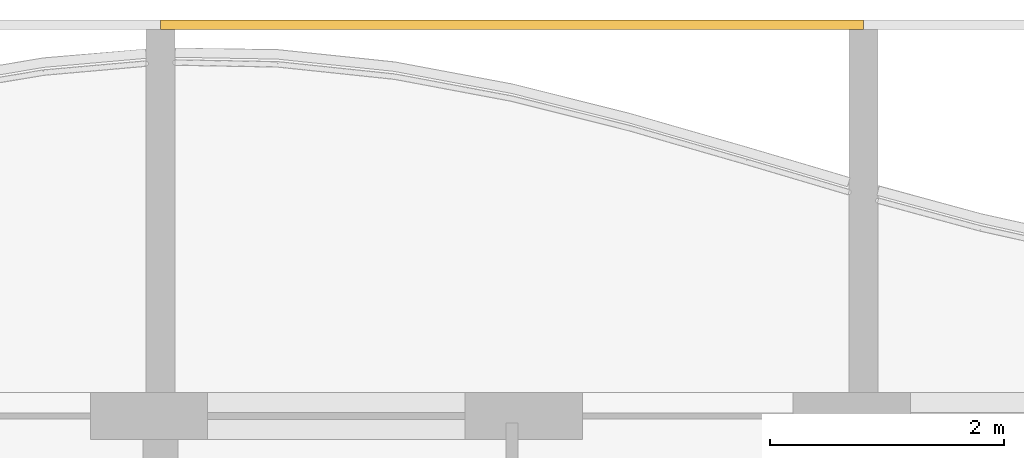
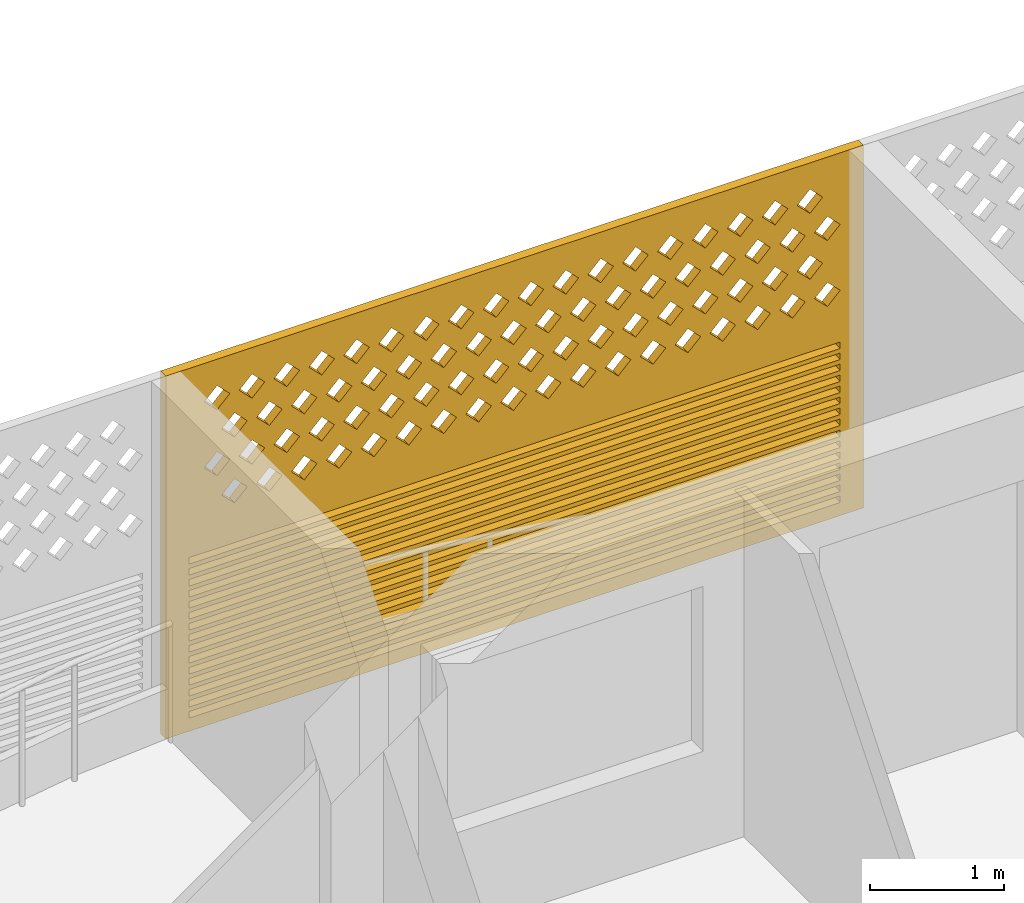
# One storey, part 20 of 32: 1 covering.
"""IFC4 building model written with IfcOpenShell, lengths in metres."""

from ifc_helpers import new_model, si_unit, direction, frame, origin, place, context, subcontext, project, spatial, polyline, outline, extrude, source, transform, mapped, material, material_profile, profile_set, type_object, element, save


model = new_model("IFC4")

# Units and contexts
model_context = context("Model", 3, precision=1e-05, world=origin(), true_north=direction((0.0, 1.0)))
body_context = subcontext(model_context, "Body", "Model", "MODEL_VIEW")
ifc_project = project(units=[si_unit("LENGTHUNIT", "METRE"), si_unit("AREAUNIT", "SQUARE_METRE"), si_unit("VOLUMEUNIT", "CUBIC_METRE"), si_unit("PLANEANGLEUNIT", "RADIAN"), si_unit("MASSUNIT", "GRAM", prefix="KILO")], contexts=[model_context])

# Site, building, storey
site_placement = place(None, origin())
site = spatial("IfcSite", under=ifc_project, at=site_placement, CompositionType="ELEMENT")
building_placement = place(site_placement, origin())
building = spatial("IfcBuilding", under=site, at=building_placement, Name="Poui Terraces", CompositionType="ELEMENT")
storey_placement = place(building_placement, frame((0.0, 0.0, 122.39990234375)))
storey = spatial("IfcBuildingStorey", under=building, at=storey_placement, Name="L33", CompositionType="ELEMENT", Elevation=122.39990234375)

# Covering
ifc_material = material(Name="Terracotta screen", Category="masonry")
ifc_material_profile = material_profile(ifc_material, outline(polyline([(-3.0, -1.64990234375), (3.0, -1.64990234375), (3.0, 1.64990234375), (-3.0, 1.64990234375), (-3.0, -1.64990234375)]), holes=[polyline([(-2.800048828125, 0.39990234375), (-2.68994140625, 0.2900390625), (-2.580078125, 0.39990234375), (-2.68994140625, 0.510009765625), (-2.800048828125, 0.39990234375)]), polyline([(-2.5, 0.39990234375), (-2.389892578125, 0.2900390625), (-2.280029296875, 0.39990234375), (-2.389892578125, 0.510009765625), (-2.5, 0.39990234375)]), polyline([(-2.199951171875, 0.39990234375), (-2.090087890625, 0.2900390625), (-1.97998046875, 0.39990234375), (-2.090087890625, 0.510009765625), (-2.199951171875, 0.39990234375)]), polyline([(-1.89990234375, 0.39990234375), (-1.7900390625, 0.2900390625), (-1.679931640625, 0.39990234375), (-1.7900390625, 0.510009765625), (-1.89990234375, 0.39990234375)]), polyline([(-1.60009765625, 0.39990234375), (-1.489990234375, 0.2900390625), (-1.3798828125, 0.39990234375), (-1.489990234375, 0.510009765625), (-1.60009765625, 0.39990234375)]), polyline([(-1.300048828125, 0.39990234375), (-1.18994140625, 0.2900390625), (-1.080078125, 0.39990234375), (-1.18994140625, 0.510009765625), (-1.300048828125, 0.39990234375)]), polyline([(-1.0, 0.39990234375), (-0.889892578125, 0.2900390625), (-0.780029296875, 0.39990234375), (-0.889892578125, 0.510009765625), (-1.0, 0.39990234375)]), polyline([(-0.699951171875, 0.39990234375), (-0.590087890625, 0.2900390625), (-0.47998046875, 0.39990234375), (-0.590087890625, 0.510009765625), (-0.699951171875, 0.39990234375)]), polyline([(-0.39990234375, 0.39990234375), (-0.2900390625, 0.2900390625), (-0.179931640625, 0.39990234375), (-0.2900390625, 0.510009765625), (-0.39990234375, 0.39990234375)]), polyline([(-0.10009765625, 0.39990234375), (0.010009765625, 0.2900390625), (0.1201171875, 0.39990234375), (0.010009765625, 0.510009765625), (-0.10009765625, 0.39990234375)]), polyline([(0.199951171875, 0.39990234375), (0.31005859375, 0.2900390625), (0.419921875, 0.39990234375), (0.31005859375, 0.510009765625), (0.199951171875, 0.39990234375)]), polyline([(0.5, 0.39990234375), (0.610107421875, 0.2900390625), (0.719970703125, 0.39990234375), (0.610107421875, 0.510009765625), (0.5, 0.39990234375)]), polyline([(0.800048828125, 0.39990234375), (0.909912109375, 0.2900390625), (1.02001953125, 0.39990234375), (0.909912109375, 0.510009765625), (0.800048828125, 0.39990234375)]), polyline([(1.10009765625, 0.39990234375), (1.2099609375, 0.2900390625), (1.320068359375, 0.39990234375), (1.2099609375, 0.510009765625), (1.10009765625, 0.39990234375)]), polyline([(1.39990234375, 0.39990234375), (1.510009765625, 0.2900390625), (1.6201171875, 0.39990234375), (1.510009765625, 0.510009765625), (1.39990234375, 0.39990234375)]), polyline([(1.699951171875, 0.39990234375), (1.81005859375, 0.2900390625), (1.919921875, 0.39990234375), (1.81005859375, 0.510009765625), (1.699951171875, 0.39990234375)]), polyline([(2.0, 0.39990234375), (2.110107421875, 0.2900390625), (2.219970703125, 0.39990234375), (2.110107421875, 0.510009765625), (2.0, 0.39990234375)]), polyline([(2.300048828125, 0.39990234375), (2.409912109375, 0.2900390625), (2.52001953125, 0.39990234375), (2.409912109375, 0.510009765625), (2.300048828125, 0.39990234375)]), polyline([(-2.64990234375, 0.699951171875), (-2.5400390625, 0.590087890625), (-2.429931640625, 0.699951171875), (-2.5400390625, 0.81005859375), (-2.64990234375, 0.699951171875)]), polyline([(-2.35009765625, 0.699951171875), (-2.239990234375, 0.590087890625), (-2.1298828125, 0.699951171875), (-2.239990234375, 0.81005859375), (-2.35009765625, 0.699951171875)]), polyline([(-2.050048828125, 0.699951171875), (-1.93994140625, 0.590087890625), (-1.830078125, 0.699951171875), (-1.93994140625, 0.81005859375), (-2.050048828125, 0.699951171875)]), polyline([(-1.75, 0.699951171875), (-1.639892578125, 0.590087890625), (-1.530029296875, 0.699951171875), (-1.639892578125, 0.81005859375), (-1.75, 0.699951171875)]), polyline([(-1.449951171875, 0.699951171875), (-1.340087890625, 0.590087890625), (-1.22998046875, 0.699951171875), (-1.340087890625, 0.81005859375), (-1.449951171875, 0.699951171875)]), polyline([(-1.14990234375, 0.699951171875), (-1.0400390625, 0.590087890625), (-0.929931640625, 0.699951171875), (-1.0400390625, 0.81005859375), (-1.14990234375, 0.699951171875)]), polyline([(-0.85009765625, 0.699951171875), (-0.739990234375, 0.590087890625), (-0.6298828125, 0.699951171875), (-0.739990234375, 0.81005859375), (-0.85009765625, 0.699951171875)]), polyline([(-0.550048828125, 0.699951171875), (-0.43994140625, 0.590087890625), (-0.330078125, 0.699951171875), (-0.43994140625, 0.81005859375), (-0.550048828125, 0.699951171875)]), polyline([(-0.25, 0.699951171875), (-0.139892578125, 0.590087890625), (-0.030029296875, 0.699951171875), (-0.139892578125, 0.81005859375), (-0.25, 0.699951171875)]), polyline([(0.050048828125, 0.699951171875), (0.159912109375, 0.590087890625), (0.27001953125, 0.699951171875), (0.159912109375, 0.81005859375), (0.050048828125, 0.699951171875)]), polyline([(0.35009765625, 0.699951171875), (0.4599609375, 0.590087890625), (0.570068359375, 0.699951171875), (0.4599609375, 0.81005859375), (0.35009765625, 0.699951171875)]), polyline([(0.64990234375, 0.699951171875), (0.760009765625, 0.590087890625), (0.8701171875, 0.699951171875), (0.760009765625, 0.81005859375), (0.64990234375, 0.699951171875)]), polyline([(0.949951171875, 0.699951171875), (1.06005859375, 0.590087890625), (1.169921875, 0.699951171875), (1.06005859375, 0.81005859375), (0.949951171875, 0.699951171875)]), polyline([(1.25, 0.699951171875), (1.360107421875, 0.590087890625), (1.469970703125, 0.699951171875), (1.360107421875, 0.81005859375), (1.25, 0.699951171875)]), polyline([(1.550048828125, 0.699951171875), (1.659912109375, 0.590087890625), (1.77001953125, 0.699951171875), (1.659912109375, 0.81005859375), (1.550048828125, 0.699951171875)]), polyline([(1.85009765625, 0.699951171875), (1.9599609375, 0.590087890625), (2.070068359375, 0.699951171875), (1.9599609375, 0.81005859375), (1.85009765625, 0.699951171875)]), polyline([(2.14990234375, 0.699951171875), (2.260009765625, 0.590087890625), (2.3701171875, 0.699951171875), (2.260009765625, 0.81005859375), (2.14990234375, 0.699951171875)]), polyline([(2.449951171875, 0.699951171875), (2.56005859375, 0.590087890625), (2.669921875, 0.699951171875), (2.56005859375, 0.81005859375), (2.449951171875, 0.699951171875)]), polyline([(-2.800048828125, 1.0), (-2.68994140625, 0.889892578125), (-2.580078125, 1.0), (-2.68994140625, 1.110107421875), (-2.800048828125, 1.0)]), polyline([(-2.5, 1.0), (-2.389892578125, 0.889892578125), (-2.280029296875, 1.0), (-2.389892578125, 1.110107421875), (-2.5, 1.0)]), polyline([(-2.199951171875, 1.0), (-2.090087890625, 0.889892578125), (-1.97998046875, 1.0), (-2.090087890625, 1.110107421875), (-2.199951171875, 1.0)]), polyline([(-1.89990234375, 1.0), (-1.7900390625, 0.889892578125), (-1.679931640625, 1.0), (-1.7900390625, 1.110107421875), (-1.89990234375, 1.0)]), polyline([(-1.60009765625, 1.0), (-1.489990234375, 0.889892578125), (-1.3798828125, 1.0), (-1.489990234375, 1.110107421875), (-1.60009765625, 1.0)]), polyline([(-1.300048828125, 1.0), (-1.18994140625, 0.889892578125), (-1.080078125, 1.0), (-1.18994140625, 1.110107421875), (-1.300048828125, 1.0)]), polyline([(-1.0, 1.0), (-0.889892578125, 0.889892578125), (-0.780029296875, 1.0), (-0.889892578125, 1.110107421875), (-1.0, 1.0)]), polyline([(-0.699951171875, 1.0), (-0.590087890625, 0.889892578125), (-0.47998046875, 1.0), (-0.590087890625, 1.110107421875), (-0.699951171875, 1.0)]), polyline([(-0.39990234375, 1.0), (-0.2900390625, 0.889892578125), (-0.179931640625, 1.0), (-0.2900390625, 1.110107421875), (-0.39990234375, 1.0)]), polyline([(-0.10009765625, 1.0), (0.010009765625, 0.889892578125), (0.1201171875, 1.0), (0.010009765625, 1.110107421875), (-0.10009765625, 1.0)]), polyline([(0.199951171875, 1.0), (0.31005859375, 0.889892578125), (0.419921875, 1.0), (0.31005859375, 1.110107421875), (0.199951171875, 1.0)]), polyline([(0.5, 1.0), (0.610107421875, 0.889892578125), (0.719970703125, 1.0), (0.610107421875, 1.110107421875), (0.5, 1.0)]), polyline([(0.800048828125, 1.0), (0.909912109375, 0.889892578125), (1.02001953125, 1.0), (0.909912109375, 1.110107421875), (0.800048828125, 1.0)]), polyline([(1.10009765625, 1.0), (1.2099609375, 0.889892578125), (1.320068359375, 1.0), (1.2099609375, 1.110107421875), (1.10009765625, 1.0)]), polyline([(1.39990234375, 1.0), (1.510009765625, 0.889892578125), (1.6201171875, 1.0), (1.510009765625, 1.110107421875), (1.39990234375, 1.0)]), polyline([(1.699951171875, 1.0), (1.81005859375, 0.889892578125), (1.919921875, 1.0), (1.81005859375, 1.110107421875), (1.699951171875, 1.0)]), polyline([(2.0, 1.0), (2.110107421875, 0.889892578125), (2.219970703125, 1.0), (2.110107421875, 1.110107421875), (2.0, 1.0)]), polyline([(2.300048828125, 1.0), (2.409912109375, 0.889892578125), (2.52001953125, 1.0), (2.409912109375, 1.110107421875), (2.300048828125, 1.0)]), polyline([(-2.64990234375, 1.300048828125), (-2.5400390625, 1.18994140625), (-2.429931640625, 1.300048828125), (-2.5400390625, 1.409912109375), (-2.64990234375, 1.300048828125)]), polyline([(-2.35009765625, 1.300048828125), (-2.239990234375, 1.18994140625), (-2.1298828125, 1.300048828125), (-2.239990234375, 1.409912109375), (-2.35009765625, 1.300048828125)]), polyline([(-2.050048828125, 1.300048828125), (-1.93994140625, 1.18994140625), (-1.830078125, 1.300048828125), (-1.93994140625, 1.409912109375), (-2.050048828125, 1.300048828125)]), polyline([(-1.75, 1.300048828125), (-1.639892578125, 1.18994140625), (-1.530029296875, 1.300048828125), (-1.639892578125, 1.409912109375), (-1.75, 1.300048828125)]), polyline([(-1.449951171875, 1.300048828125), (-1.340087890625, 1.18994140625), (-1.22998046875, 1.300048828125), (-1.340087890625, 1.409912109375), (-1.449951171875, 1.300048828125)]), polyline([(-1.14990234375, 1.300048828125), (-1.0400390625, 1.18994140625), (-0.929931640625, 1.300048828125), (-1.0400390625, 1.409912109375), (-1.14990234375, 1.300048828125)]), polyline([(-0.85009765625, 1.300048828125), (-0.739990234375, 1.18994140625), (-0.6298828125, 1.300048828125), (-0.739990234375, 1.409912109375), (-0.85009765625, 1.300048828125)]), polyline([(-0.550048828125, 1.300048828125), (-0.43994140625, 1.18994140625), (-0.330078125, 1.300048828125), (-0.43994140625, 1.409912109375), (-0.550048828125, 1.300048828125)]), polyline([(-0.25, 1.300048828125), (-0.139892578125, 1.18994140625), (-0.030029296875, 1.300048828125), (-0.139892578125, 1.409912109375), (-0.25, 1.300048828125)]), polyline([(0.050048828125, 1.300048828125), (0.159912109375, 1.18994140625), (0.27001953125, 1.300048828125), (0.159912109375, 1.409912109375), (0.050048828125, 1.300048828125)]), polyline([(0.35009765625, 1.300048828125), (0.4599609375, 1.18994140625), (0.570068359375, 1.300048828125), (0.4599609375, 1.409912109375), (0.35009765625, 1.300048828125)]), polyline([(0.64990234375, 1.300048828125), (0.760009765625, 1.18994140625), (0.8701171875, 1.300048828125), (0.760009765625, 1.409912109375), (0.64990234375, 1.300048828125)]), polyline([(0.949951171875, 1.300048828125), (1.06005859375, 1.18994140625), (1.169921875, 1.300048828125), (1.06005859375, 1.409912109375), (0.949951171875, 1.300048828125)]), polyline([(1.25, 1.300048828125), (1.360107421875, 1.18994140625), (1.469970703125, 1.300048828125), (1.360107421875, 1.409912109375), (1.25, 1.300048828125)]), polyline([(1.550048828125, 1.300048828125), (1.659912109375, 1.18994140625), (1.77001953125, 1.300048828125), (1.659912109375, 1.409912109375), (1.550048828125, 1.300048828125)]), polyline([(1.85009765625, 1.300048828125), (1.9599609375, 1.18994140625), (2.070068359375, 1.300048828125), (1.9599609375, 1.409912109375), (1.85009765625, 1.300048828125)]), polyline([(2.14990234375, 1.300048828125), (2.260009765625, 1.18994140625), (2.3701171875, 1.300048828125), (2.260009765625, 1.409912109375), (2.14990234375, 1.300048828125)]), polyline([(2.449951171875, 1.300048828125), (2.56005859375, 1.18994140625), (2.669921875, 1.300048828125), (2.56005859375, 1.409912109375), (2.449951171875, 1.300048828125)]), polyline([(-2.800048828125, -1.530029296875), (2.800048828125, -1.530029296875), (2.800048828125, -1.469970703125), (-2.800048828125, -1.469970703125), (-2.800048828125, -1.530029296875)]), polyline([(-2.800048828125, -1.429931640625), (2.800048828125, -1.429931640625), (2.800048828125, -1.3701171875), (-2.800048828125, -1.3701171875), (-2.800048828125, -1.429931640625)]), polyline([(-2.800048828125, -1.330078125), (2.800048828125, -1.330078125), (2.800048828125, -1.27001953125), (-2.800048828125, -1.27001953125), (-2.800048828125, -1.330078125)]), polyline([(-2.800048828125, -1.22998046875), (2.800048828125, -1.22998046875), (2.800048828125, -1.169921875), (-2.800048828125, -1.169921875), (-2.800048828125, -1.22998046875)]), polyline([(-2.800048828125, -1.1298828125), (2.800048828125, -1.1298828125), (2.800048828125, -1.070068359375), (-2.800048828125, -1.070068359375), (-2.800048828125, -1.1298828125)]), polyline([(-2.800048828125, -1.030029296875), (2.800048828125, -1.030029296875), (2.800048828125, -0.969970703125), (-2.800048828125, -0.969970703125), (-2.800048828125, -1.030029296875)]), polyline([(-2.800048828125, -0.929931640625), (2.800048828125, -0.929931640625), (2.800048828125, -0.8701171875), (-2.800048828125, -0.8701171875), (-2.800048828125, -0.929931640625)]), polyline([(-2.800048828125, -0.830078125), (2.800048828125, -0.830078125), (2.800048828125, -0.77001953125), (-2.800048828125, -0.77001953125), (-2.800048828125, -0.830078125)]), polyline([(-2.800048828125, -0.72998046875), (2.800048828125, -0.72998046875), (2.800048828125, -0.669921875), (-2.800048828125, -0.669921875), (-2.800048828125, -0.72998046875)]), polyline([(-2.800048828125, -0.6298828125), (2.800048828125, -0.6298828125), (2.800048828125, -0.570068359375), (-2.800048828125, -0.570068359375), (-2.800048828125, -0.6298828125)]), polyline([(-2.800048828125, -0.530029296875), (2.800048828125, -0.530029296875), (2.800048828125, -0.469970703125), (-2.800048828125, -0.469970703125), (-2.800048828125, -0.530029296875)]), polyline([(-2.800048828125, -0.429931640625), (2.800048828125, -0.429931640625), (2.800048828125, -0.3701171875), (-2.800048828125, -0.3701171875), (-2.800048828125, -0.429931640625)]), polyline([(-2.800048828125, -0.330078125), (2.800048828125, -0.330078125), (2.800048828125, -0.27001953125), (-2.800048828125, -0.27001953125), (-2.800048828125, -0.330078125)]), polyline([(-2.800048828125, -0.22998046875), (2.800048828125, -0.22998046875), (2.800048828125, -0.169921875), (-2.800048828125, -0.169921875), (-2.800048828125, -0.22998046875)]), polyline([(-2.800048828125, -0.1298828125), (2.800048828125, -0.1298828125), (2.800048828125, -0.070068359375), (-2.800048828125, -0.070068359375), (-2.800048828125, -0.1298828125)])]), Name="TERRACOTTA SCREEN AND JALOUSIE LOUVRE 6000X3300")
ifc_profile_set = profile_set([ifc_material_profile], Name="Terracotta screen")
covering_type = type_object("IfcCoveringType", Name="TERRACOTTA SCREEN AND JALOUSIE LOUVRE 6000X3300", PredefinedType="CLADDING", material=ifc_profile_set)
shared_shape = source(origin(), body_context, "Body", "SweptSolid", [
    extrude(outline(polyline([(-3.0, -1.64990234375), (3.0, -1.64990234375), (3.0, 1.64990234375), (-3.0, 1.64990234375), (-3.0, -1.64990234375)]), holes=[polyline([(-2.800048828125, 0.39990234375), (-2.68994140625, 0.2900390625), (-2.580078125, 0.39990234375), (-2.68994140625, 0.510009765625), (-2.800048828125, 0.39990234375)]), polyline([(-2.5, 0.39990234375), (-2.389892578125, 0.2900390625), (-2.280029296875, 0.39990234375), (-2.389892578125, 0.510009765625), (-2.5, 0.39990234375)]), polyline([(-2.199951171875, 0.39990234375), (-2.090087890625, 0.2900390625), (-1.97998046875, 0.39990234375), (-2.090087890625, 0.510009765625), (-2.199951171875, 0.39990234375)]), polyline([(-1.89990234375, 0.39990234375), (-1.7900390625, 0.2900390625), (-1.679931640625, 0.39990234375), (-1.7900390625, 0.510009765625), (-1.89990234375, 0.39990234375)]), polyline([(-1.60009765625, 0.39990234375), (-1.489990234375, 0.2900390625), (-1.3798828125, 0.39990234375), (-1.489990234375, 0.510009765625), (-1.60009765625, 0.39990234375)]), polyline([(-1.300048828125, 0.39990234375), (-1.18994140625, 0.2900390625), (-1.080078125, 0.39990234375), (-1.18994140625, 0.510009765625), (-1.300048828125, 0.39990234375)]), polyline([(-1.0, 0.39990234375), (-0.889892578125, 0.2900390625), (-0.780029296875, 0.39990234375), (-0.889892578125, 0.510009765625), (-1.0, 0.39990234375)]), polyline([(-0.699951171875, 0.39990234375), (-0.590087890625, 0.2900390625), (-0.47998046875, 0.39990234375), (-0.590087890625, 0.510009765625), (-0.699951171875, 0.39990234375)]), polyline([(-0.39990234375, 0.39990234375), (-0.2900390625, 0.2900390625), (-0.179931640625, 0.39990234375), (-0.2900390625, 0.510009765625), (-0.39990234375, 0.39990234375)]), polyline([(-0.10009765625, 0.39990234375), (0.010009765625, 0.2900390625), (0.1201171875, 0.39990234375), (0.010009765625, 0.510009765625), (-0.10009765625, 0.39990234375)]), polyline([(0.199951171875, 0.39990234375), (0.31005859375, 0.2900390625), (0.419921875, 0.39990234375), (0.31005859375, 0.510009765625), (0.199951171875, 0.39990234375)]), polyline([(0.5, 0.39990234375), (0.610107421875, 0.2900390625), (0.719970703125, 0.39990234375), (0.610107421875, 0.510009765625), (0.5, 0.39990234375)]), polyline([(0.800048828125, 0.39990234375), (0.909912109375, 0.2900390625), (1.02001953125, 0.39990234375), (0.909912109375, 0.510009765625), (0.800048828125, 0.39990234375)]), polyline([(1.10009765625, 0.39990234375), (1.2099609375, 0.2900390625), (1.320068359375, 0.39990234375), (1.2099609375, 0.510009765625), (1.10009765625, 0.39990234375)]), polyline([(1.39990234375, 0.39990234375), (1.510009765625, 0.2900390625), (1.6201171875, 0.39990234375), (1.510009765625, 0.510009765625), (1.39990234375, 0.39990234375)]), polyline([(1.699951171875, 0.39990234375), (1.81005859375, 0.2900390625), (1.919921875, 0.39990234375), (1.81005859375, 0.510009765625), (1.699951171875, 0.39990234375)]), polyline([(2.0, 0.39990234375), (2.110107421875, 0.2900390625), (2.219970703125, 0.39990234375), (2.110107421875, 0.510009765625), (2.0, 0.39990234375)]), polyline([(2.300048828125, 0.39990234375), (2.409912109375, 0.2900390625), (2.52001953125, 0.39990234375), (2.409912109375, 0.510009765625), (2.300048828125, 0.39990234375)]), polyline([(-2.64990234375, 0.699951171875), (-2.5400390625, 0.590087890625), (-2.429931640625, 0.699951171875), (-2.5400390625, 0.81005859375), (-2.64990234375, 0.699951171875)]), polyline([(-2.35009765625, 0.699951171875), (-2.239990234375, 0.590087890625), (-2.1298828125, 0.699951171875), (-2.239990234375, 0.81005859375), (-2.35009765625, 0.699951171875)]), polyline([(-2.050048828125, 0.699951171875), (-1.93994140625, 0.590087890625), (-1.830078125, 0.699951171875), (-1.93994140625, 0.81005859375), (-2.050048828125, 0.699951171875)]), polyline([(-1.75, 0.699951171875), (-1.639892578125, 0.590087890625), (-1.530029296875, 0.699951171875), (-1.639892578125, 0.81005859375), (-1.75, 0.699951171875)]), polyline([(-1.449951171875, 0.699951171875), (-1.340087890625, 0.590087890625), (-1.22998046875, 0.699951171875), (-1.340087890625, 0.81005859375), (-1.449951171875, 0.699951171875)]), polyline([(-1.14990234375, 0.699951171875), (-1.0400390625, 0.590087890625), (-0.929931640625, 0.699951171875), (-1.0400390625, 0.81005859375), (-1.14990234375, 0.699951171875)]), polyline([(-0.85009765625, 0.699951171875), (-0.739990234375, 0.590087890625), (-0.6298828125, 0.699951171875), (-0.739990234375, 0.81005859375), (-0.85009765625, 0.699951171875)]), polyline([(-0.550048828125, 0.699951171875), (-0.43994140625, 0.590087890625), (-0.330078125, 0.699951171875), (-0.43994140625, 0.81005859375), (-0.550048828125, 0.699951171875)]), polyline([(-0.25, 0.699951171875), (-0.139892578125, 0.590087890625), (-0.030029296875, 0.699951171875), (-0.139892578125, 0.81005859375), (-0.25, 0.699951171875)]), polyline([(0.050048828125, 0.699951171875), (0.159912109375, 0.590087890625), (0.27001953125, 0.699951171875), (0.159912109375, 0.81005859375), (0.050048828125, 0.699951171875)]), polyline([(0.35009765625, 0.699951171875), (0.4599609375, 0.590087890625), (0.570068359375, 0.699951171875), (0.4599609375, 0.81005859375), (0.35009765625, 0.699951171875)]), polyline([(0.64990234375, 0.699951171875), (0.760009765625, 0.590087890625), (0.8701171875, 0.699951171875), (0.760009765625, 0.81005859375), (0.64990234375, 0.699951171875)]), polyline([(0.949951171875, 0.699951171875), (1.06005859375, 0.590087890625), (1.169921875, 0.699951171875), (1.06005859375, 0.81005859375), (0.949951171875, 0.699951171875)]), polyline([(1.25, 0.699951171875), (1.360107421875, 0.590087890625), (1.469970703125, 0.699951171875), (1.360107421875, 0.81005859375), (1.25, 0.699951171875)]), polyline([(1.550048828125, 0.699951171875), (1.659912109375, 0.590087890625), (1.77001953125, 0.699951171875), (1.659912109375, 0.81005859375), (1.550048828125, 0.699951171875)]), polyline([(1.85009765625, 0.699951171875), (1.9599609375, 0.590087890625), (2.070068359375, 0.699951171875), (1.9599609375, 0.81005859375), (1.85009765625, 0.699951171875)]), polyline([(2.14990234375, 0.699951171875), (2.260009765625, 0.590087890625), (2.3701171875, 0.699951171875), (2.260009765625, 0.81005859375), (2.14990234375, 0.699951171875)]), polyline([(2.449951171875, 0.699951171875), (2.56005859375, 0.590087890625), (2.669921875, 0.699951171875), (2.56005859375, 0.81005859375), (2.449951171875, 0.699951171875)]), polyline([(-2.800048828125, 1.0), (-2.68994140625, 0.889892578125), (-2.580078125, 1.0), (-2.68994140625, 1.110107421875), (-2.800048828125, 1.0)]), polyline([(-2.5, 1.0), (-2.389892578125, 0.889892578125), (-2.280029296875, 1.0), (-2.389892578125, 1.110107421875), (-2.5, 1.0)]), polyline([(-2.199951171875, 1.0), (-2.090087890625, 0.889892578125), (-1.97998046875, 1.0), (-2.090087890625, 1.110107421875), (-2.199951171875, 1.0)]), polyline([(-1.89990234375, 1.0), (-1.7900390625, 0.889892578125), (-1.679931640625, 1.0), (-1.7900390625, 1.110107421875), (-1.89990234375, 1.0)]), polyline([(-1.60009765625, 1.0), (-1.489990234375, 0.889892578125), (-1.3798828125, 1.0), (-1.489990234375, 1.110107421875), (-1.60009765625, 1.0)]), polyline([(-1.300048828125, 1.0), (-1.18994140625, 0.889892578125), (-1.080078125, 1.0), (-1.18994140625, 1.110107421875), (-1.300048828125, 1.0)]), polyline([(-1.0, 1.0), (-0.889892578125, 0.889892578125), (-0.780029296875, 1.0), (-0.889892578125, 1.110107421875), (-1.0, 1.0)]), polyline([(-0.699951171875, 1.0), (-0.590087890625, 0.889892578125), (-0.47998046875, 1.0), (-0.590087890625, 1.110107421875), (-0.699951171875, 1.0)]), polyline([(-0.39990234375, 1.0), (-0.2900390625, 0.889892578125), (-0.179931640625, 1.0), (-0.2900390625, 1.110107421875), (-0.39990234375, 1.0)]), polyline([(-0.10009765625, 1.0), (0.010009765625, 0.889892578125), (0.1201171875, 1.0), (0.010009765625, 1.110107421875), (-0.10009765625, 1.0)]), polyline([(0.199951171875, 1.0), (0.31005859375, 0.889892578125), (0.419921875, 1.0), (0.31005859375, 1.110107421875), (0.199951171875, 1.0)]), polyline([(0.5, 1.0), (0.610107421875, 0.889892578125), (0.719970703125, 1.0), (0.610107421875, 1.110107421875), (0.5, 1.0)]), polyline([(0.800048828125, 1.0), (0.909912109375, 0.889892578125), (1.02001953125, 1.0), (0.909912109375, 1.110107421875), (0.800048828125, 1.0)]), polyline([(1.10009765625, 1.0), (1.2099609375, 0.889892578125), (1.320068359375, 1.0), (1.2099609375, 1.110107421875), (1.10009765625, 1.0)]), polyline([(1.39990234375, 1.0), (1.510009765625, 0.889892578125), (1.6201171875, 1.0), (1.510009765625, 1.110107421875), (1.39990234375, 1.0)]), polyline([(1.699951171875, 1.0), (1.81005859375, 0.889892578125), (1.919921875, 1.0), (1.81005859375, 1.110107421875), (1.699951171875, 1.0)]), polyline([(2.0, 1.0), (2.110107421875, 0.889892578125), (2.219970703125, 1.0), (2.110107421875, 1.110107421875), (2.0, 1.0)]), polyline([(2.300048828125, 1.0), (2.409912109375, 0.889892578125), (2.52001953125, 1.0), (2.409912109375, 1.110107421875), (2.300048828125, 1.0)]), polyline([(-2.64990234375, 1.300048828125), (-2.5400390625, 1.18994140625), (-2.429931640625, 1.300048828125), (-2.5400390625, 1.409912109375), (-2.64990234375, 1.300048828125)]), polyline([(-2.35009765625, 1.300048828125), (-2.239990234375, 1.18994140625), (-2.1298828125, 1.300048828125), (-2.239990234375, 1.409912109375), (-2.35009765625, 1.300048828125)]), polyline([(-2.050048828125, 1.300048828125), (-1.93994140625, 1.18994140625), (-1.830078125, 1.300048828125), (-1.93994140625, 1.409912109375), (-2.050048828125, 1.300048828125)]), polyline([(-1.75, 1.300048828125), (-1.639892578125, 1.18994140625), (-1.530029296875, 1.300048828125), (-1.639892578125, 1.409912109375), (-1.75, 1.300048828125)]), polyline([(-1.449951171875, 1.300048828125), (-1.340087890625, 1.18994140625), (-1.22998046875, 1.300048828125), (-1.340087890625, 1.409912109375), (-1.449951171875, 1.300048828125)]), polyline([(-1.14990234375, 1.300048828125), (-1.0400390625, 1.18994140625), (-0.929931640625, 1.300048828125), (-1.0400390625, 1.409912109375), (-1.14990234375, 1.300048828125)]), polyline([(-0.85009765625, 1.300048828125), (-0.739990234375, 1.18994140625), (-0.6298828125, 1.300048828125), (-0.739990234375, 1.409912109375), (-0.85009765625, 1.300048828125)]), polyline([(-0.550048828125, 1.300048828125), (-0.43994140625, 1.18994140625), (-0.330078125, 1.300048828125), (-0.43994140625, 1.409912109375), (-0.550048828125, 1.300048828125)]), polyline([(-0.25, 1.300048828125), (-0.139892578125, 1.18994140625), (-0.030029296875, 1.300048828125), (-0.139892578125, 1.409912109375), (-0.25, 1.300048828125)]), polyline([(0.050048828125, 1.300048828125), (0.159912109375, 1.18994140625), (0.27001953125, 1.300048828125), (0.159912109375, 1.409912109375), (0.050048828125, 1.300048828125)]), polyline([(0.35009765625, 1.300048828125), (0.4599609375, 1.18994140625), (0.570068359375, 1.300048828125), (0.4599609375, 1.409912109375), (0.35009765625, 1.300048828125)]), polyline([(0.64990234375, 1.300048828125), (0.760009765625, 1.18994140625), (0.8701171875, 1.300048828125), (0.760009765625, 1.409912109375), (0.64990234375, 1.300048828125)]), polyline([(0.949951171875, 1.300048828125), (1.06005859375, 1.18994140625), (1.169921875, 1.300048828125), (1.06005859375, 1.409912109375), (0.949951171875, 1.300048828125)]), polyline([(1.25, 1.300048828125), (1.360107421875, 1.18994140625), (1.469970703125, 1.300048828125), (1.360107421875, 1.409912109375), (1.25, 1.300048828125)]), polyline([(1.550048828125, 1.300048828125), (1.659912109375, 1.18994140625), (1.77001953125, 1.300048828125), (1.659912109375, 1.409912109375), (1.550048828125, 1.300048828125)]), polyline([(1.85009765625, 1.300048828125), (1.9599609375, 1.18994140625), (2.070068359375, 1.300048828125), (1.9599609375, 1.409912109375), (1.85009765625, 1.300048828125)]), polyline([(2.14990234375, 1.300048828125), (2.260009765625, 1.18994140625), (2.3701171875, 1.300048828125), (2.260009765625, 1.409912109375), (2.14990234375, 1.300048828125)]), polyline([(2.449951171875, 1.300048828125), (2.56005859375, 1.18994140625), (2.669921875, 1.300048828125), (2.56005859375, 1.409912109375), (2.449951171875, 1.300048828125)]), polyline([(-2.800048828125, -1.530029296875), (2.800048828125, -1.530029296875), (2.800048828125, -1.469970703125), (-2.800048828125, -1.469970703125), (-2.800048828125, -1.530029296875)]), polyline([(-2.800048828125, -1.429931640625), (2.800048828125, -1.429931640625), (2.800048828125, -1.3701171875), (-2.800048828125, -1.3701171875), (-2.800048828125, -1.429931640625)]), polyline([(-2.800048828125, -1.330078125), (2.800048828125, -1.330078125), (2.800048828125, -1.27001953125), (-2.800048828125, -1.27001953125), (-2.800048828125, -1.330078125)]), polyline([(-2.800048828125, -1.22998046875), (2.800048828125, -1.22998046875), (2.800048828125, -1.169921875), (-2.800048828125, -1.169921875), (-2.800048828125, -1.22998046875)]), polyline([(-2.800048828125, -1.1298828125), (2.800048828125, -1.1298828125), (2.800048828125, -1.070068359375), (-2.800048828125, -1.070068359375), (-2.800048828125, -1.1298828125)]), polyline([(-2.800048828125, -1.030029296875), (2.800048828125, -1.030029296875), (2.800048828125, -0.969970703125), (-2.800048828125, -0.969970703125), (-2.800048828125, -1.030029296875)]), polyline([(-2.800048828125, -0.929931640625), (2.800048828125, -0.929931640625), (2.800048828125, -0.8701171875), (-2.800048828125, -0.8701171875), (-2.800048828125, -0.929931640625)]), polyline([(-2.800048828125, -0.830078125), (2.800048828125, -0.830078125), (2.800048828125, -0.77001953125), (-2.800048828125, -0.77001953125), (-2.800048828125, -0.830078125)]), polyline([(-2.800048828125, -0.72998046875), (2.800048828125, -0.72998046875), (2.800048828125, -0.669921875), (-2.800048828125, -0.669921875), (-2.800048828125, -0.72998046875)]), polyline([(-2.800048828125, -0.6298828125), (2.800048828125, -0.6298828125), (2.800048828125, -0.570068359375), (-2.800048828125, -0.570068359375), (-2.800048828125, -0.6298828125)]), polyline([(-2.800048828125, -0.530029296875), (2.800048828125, -0.530029296875), (2.800048828125, -0.469970703125), (-2.800048828125, -0.469970703125), (-2.800048828125, -0.530029296875)]), polyline([(-2.800048828125, -0.429931640625), (2.800048828125, -0.429931640625), (2.800048828125, -0.3701171875), (-2.800048828125, -0.3701171875), (-2.800048828125, -0.429931640625)]), polyline([(-2.800048828125, -0.330078125), (2.800048828125, -0.330078125), (2.800048828125, -0.27001953125), (-2.800048828125, -0.27001953125), (-2.800048828125, -0.330078125)]), polyline([(-2.800048828125, -0.22998046875), (2.800048828125, -0.22998046875), (2.800048828125, -0.169921875), (-2.800048828125, -0.169921875), (-2.800048828125, -0.22998046875)]), polyline([(-2.800048828125, -0.1298828125), (2.800048828125, -0.1298828125), (2.800048828125, -0.070068359375), (-2.800048828125, -0.070068359375), (-2.800048828125, -0.1298828125)])]), origin(), (0.0, 0.0, 1.0), 0.080078125),
])
covering_placement = place(storey_placement, frame((27.0, 45.699951171875, 1.4501953125), z_axis=(0.0, 1.0, 0.0), x_axis=(-1.0, 0.0, 0.0)))
element("IfcCovering", 1, at=covering_placement, inside=storey, type_object=covering_type, Name="SOLAR SCREEN AND JALOUSIE LOUVRE", PredefinedType="CLADDING", context=body_context, shape_type="MappedRepresentation", body=[
    mapped(shared_shape, transform((0.0, 0.0, 0.0))),
])

save(model, "model.ifc")
